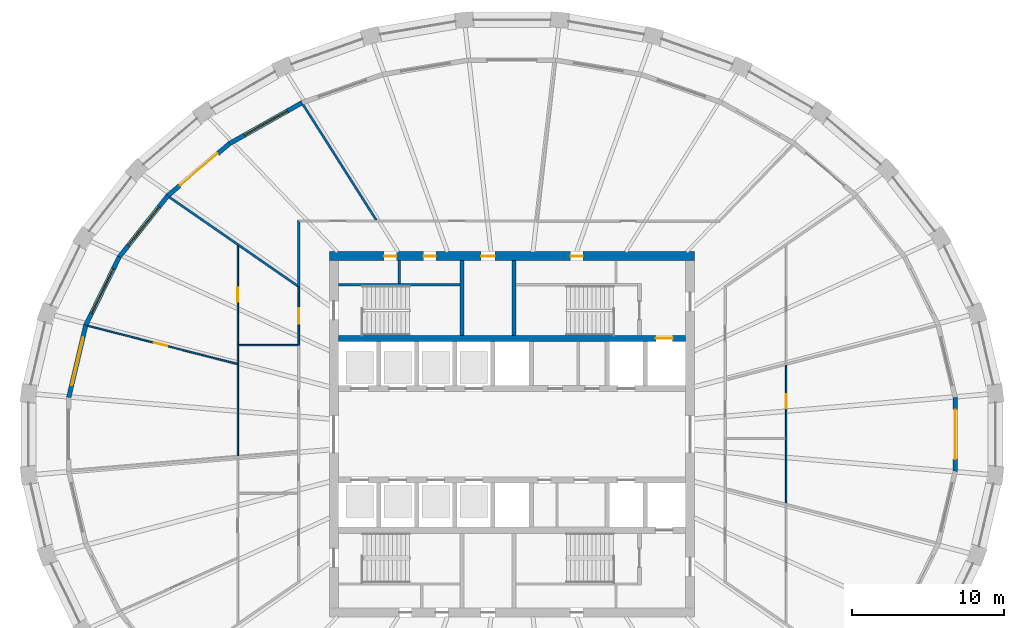
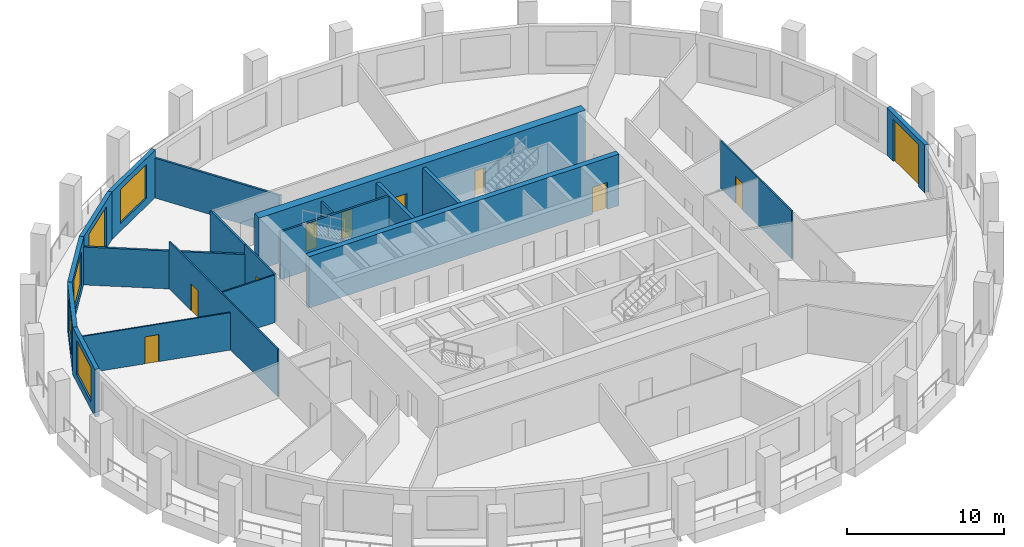
# One storey, part 6 of 11: 20 walls, 11 doors, 4 windows, 15 openings.
"""IFC4 building model written with IfcOpenShell, lengths in metres."""

from ifc_helpers import new_model, si_unit, direction, frame, frame_2d, origin, place, context, subcontext, project, spatial, polyline, rectangle, outline, extrude, material, layer, layer_set, type_object, element, fill, save


model = new_model("IFC4")

# Units and contexts
model_context = context("Model", 3, precision=1e-05, world=origin(), true_north=direction((0.0, 1.0)))
body_context = subcontext(model_context, "Body", "Model", "MODEL_VIEW")
ifc_project = project(units=[si_unit("LENGTHUNIT", "METRE"), si_unit("AREAUNIT", "SQUARE_METRE"), si_unit("VOLUMEUNIT", "CUBIC_METRE"), si_unit("PLANEANGLEUNIT", "RADIAN"), si_unit("MASSUNIT", "GRAM", prefix="KILO")], contexts=[model_context])

# Site, building, storey
site_placement = place(None, origin())
site = spatial("IfcSite", under=ifc_project, at=site_placement, CompositionType="ELEMENT")
building_placement = place(site_placement, origin())
building = spatial("IfcBuilding", under=site, at=building_placement, Name="Halqa Exchange Tower", CompositionType="ELEMENT")
storey_placement = place(building_placement, frame((0.0, 0.0, 218.89990234375)))
storey = spatial("IfcBuildingStorey", under=building, at=storey_placement, Name="L50", CompositionType="ELEMENT", Elevation=218.89990234375)

# Walls
ifc_material_1 = material(Name="Fire-rated gypsum board")
ifc_layer_1 = layer(ifc_material_1, 0.14990234375)
ifc_layer_set_1 = layer_set([ifc_layer_1], Name="Fire-rated gypsum board")
wall_type_1 = type_object("IfcWallType", Name="Fire partition EI 60 150", PredefinedType="PARTITIONING", material=ifc_layer_set_1)
wall_1_placement = place(storey_placement, frame((-22.493896484375, 15.569580078125, 0.0), z_axis=(0.0, 0.0, 1.0), x_axis=(0.822227997751, -0.569158255421, 0.0)))
element("IfcWall", 1, at=wall_1_placement, inside=storey, type_object=wall_type_1, Name="L50-PWL-002", PredefinedType="PARTITIONING", context=body_context, shape_type="SweptSolid", body=[
    extrude(outline(polyline([(0.0, -0.074951171875), (1.858154296875, -0.074951171875), (3.716552734375, -0.074951171875), (5.57470703125, -0.074951171875), (5.5771484375, -0.073486328125), (5.578125, -0.074951171875), (7.1552734375, -0.074951171875), (8.732177734375, -0.074951171875), (10.30908203125, -0.074951171875), (10.30908203125, -0.07470703125), (10.281005859375, -0.0341796875), (10.2685546875, -0.042724609375), (10.240234375, -0.001708984375), (10.240234375, -0.001708984375), (10.187255859375, 0.074951171875), (8.493408203125, 0.074951171875), (6.7998046875, 0.074951171875), (5.10595703125, 0.074951171875), (3.412109375, 0.074951171875), (1.718505859375, 0.074951171875), (0.024658203125, 0.074951171875), (0.00439453125, -0.000244140625), (0.0, -0.06640625), (0.0, -0.074951171875)])), origin(), (0.0, 0.0, 1.0), 2.947021484375),
])
wall_2_placement = place(storey_placement, frame((-14.0, 9.68994140625, 0.0), z_axis=(0.0, 0.0, 1.0), x_axis=(0.0, 1.0, 0.0)))
element("IfcWall", 2, at=wall_2_placement, inside=storey, type_object=wall_type_1, Name="L50-PWL-015", PredefinedType="PARTITIONING", context=body_context, shape_type="SweptSolid", body=[
    extrude(outline(polyline([(0.0, -0.074951171875), (1.41162109375, -0.074951171875), (2.823486328125, -0.074951171875), (4.235107421875, -0.074951171875), (4.385009765625, 0.074951171875), (2.92333984375, 0.074951171875), (1.461669921875, 0.074951171875), (0.0, 0.074951171875), (0.0, -0.074951171875)])), origin(), (0.0, 0.0, 1.0), 3.7001953125),
])
wall_3_placement = place(storey_placement, frame((-8.89208984375, 14.034912109375, 0.0), z_axis=(0.0, 0.0, 1.0), x_axis=(-0.535558051622, 0.84449841524, 0.0)))
element("IfcWall", 3, at=wall_3_placement, inside=storey, type_object=wall_type_1, Name="L50-PWL-018", PredefinedType="PARTITIONING", context=body_context, shape_type="SweptSolid", body=[
    extrude(outline(polyline([(0.0, -0.074951171875), (1.7978515625, -0.074951171875), (3.595458984375, -0.074951171875), (5.393310546875, -0.074951171875), (7.19091796875, -0.074951171875), (8.98876953125, -0.074951171875), (9.006103515625, -0.00048828125), (9.009765625, 0.069091796875), (9.009765625, 0.074951171875), (7.226806640625, 0.074951171875), (5.44384765625, 0.074951171875), (3.660888671875, 0.074951171875), (1.8779296875, 0.074951171875), (0.094970703125, 0.074951171875), (0.0, -0.074951171875), (0.0, -0.074951171875)])), origin(), (0.0, 0.0, 1.0), 3.10009765625),
])

# Wall, opening, door
ifc_material_2 = material(Name="Fire-rated glazing", Category="glass")
ifc_layer_2 = layer(ifc_material_2, 0.1201171875)
ifc_layer_set_2 = layer_set([ifc_layer_2], Name="Fire-rated glazing")
wall_type_2 = type_object("IfcWallType", Name="Glazed fire partition EI 60 120", PredefinedType="PARTITIONING", material=ifc_layer_set_2)
wall_4_placement = place(storey_placement, frame((-14.0, 5.860107421875, 0.0), z_axis=(0.0, 0.0, 1.0), x_axis=(0.0, 1.0, 0.0)))
wall_4 = element("IfcWall", 4, at=wall_4_placement, inside=storey, type_object=wall_type_2, Name="L50-PWL-014", PredefinedType="PARTITIONING", context=body_context, shape_type="SweptSolid", body=[
    extrude(rectangle(XDim=3.829833984375, YDim=0.1201171875, at=frame_2d((1.9150390625, 0.0))), origin(), (0.0, 0.0, 1.0), 3.7001953125),
])
opening_1_placement = place(wall_4_placement, frame((1.4150390625, 0.0, 0.0)))
opening_1 = element("IfcOpeningElement", 5, at=opening_1_placement, cuts=wall_4, Name="Opening 15-04", PredefinedType="OPENING", context=body_context, shape_type="SweptSolid", body=[
    extrude(rectangle(XDim=1.0, YDim=2.10009765625, at=frame_2d((0.5, 1.050048828125))), frame((0.0, 0.072021484375, 0.0), z_axis=(0.0, -1.0, 0.0), x_axis=(1.0, 0.0, 0.0)), (0.0, 0.0, 1.0), 0.14404296875),
])
ifc_material_3 = material(Name="Steel fire door leaf", Category="steel")
door_type_1 = type_object("IfcDoorType", Name="Fire door FD30S 1000 x 2100", OperationType="SINGLE_SWING_LEFT", PredefinedType="DOOR", material=ifc_material_3)
door_1_placement = place(opening_1_placement, origin())
door_1 = element("IfcDoor", 6, at=door_1_placement, inside=storey, type_object=door_type_1, Name="L50-IDR-004", OperationType="SINGLE_SWING_LEFT", OverallHeight=2.10009765625, OverallWidth=1.0, PredefinedType="DOOR", context=body_context, shape_type="SweptSolid", body=[
    extrude(rectangle(XDim=1.0, YDim=2.10009765625, at=frame_2d((0.5, 1.050048828125))), frame((0.0, 0.02490234375, 0.0), z_axis=(0.0, -1.0, 0.0), x_axis=(1.0, 0.0, 0.0)), (0.0, 0.0, 1.0), 0.050048828125),
])
fill(opening_1, door_1)

ifc_material_4 = material(Name="Gypsum board")
ifc_layer_3 = layer(ifc_material_4, 0.10009765625)
ifc_layer_set_3 = layer_set([ifc_layer_3], Name="Gypsum board")
wall_type_3 = type_object("IfcWallType", Name="Partition 100 gypsum", PredefinedType="PARTITIONING", material=ifc_layer_set_3)
wall_5_placement = place(storey_placement, frame((-18.0, -1.41845703125, 0.0), z_axis=(0.0, 0.0, 1.0), x_axis=(0.0, 1.0, 0.0)))
wall_5 = element("IfcWall", 7, at=wall_5_placement, inside=storey, type_object=wall_type_3, Name="L50-PWL-008", PredefinedType="PARTITIONING", context=body_context, shape_type="SweptSolid", body=[
    extrude(outline(polyline([(0.0078125, -0.050048828125), (1.81298828125, -0.050048828125), (3.6181640625, -0.050048828125), (5.42333984375, -0.050048828125), (7.228515625, -0.050048828125), (7.228515625, -0.050048828125), (7.328369140625, -0.050048828125), (7.328369140625, -0.050048828125), (8.934326171875, -0.050048828125), (10.5400390625, -0.050048828125), (12.145751953125, -0.050048828125), (13.75146484375, -0.050048828125), (13.820556640625, 0.0498046875), (13.820556640625, 0.050048828125), (11.888671875, 0.050048828125), (9.956787109375, 0.050048828125), (8.024658203125, 0.050048828125), (6.0927734375, 0.050048828125), (6.09228515625, 0.048095703125), (6.085205078125, 0.050048828125), (4.563720703125, 0.050048828125), (3.04248046875, 0.050048828125), (1.521240234375, 0.050048828125), (0.0, 0.050048828125), (0.0, 0.044677734375), (0.0078125, -0.050048828125)])), origin(), (0.0, 0.0, 1.0), 3.7001953125),
])
opening_2_placement = place(wall_5_placement, frame((10.12841796875, 0.0, 0.0)))
opening_2 = element("IfcOpeningElement", 8, at=opening_2_placement, cuts=wall_5, Name="Opening 15-15", PredefinedType="OPENING", context=body_context, shape_type="SweptSolid", body=[
    extrude(rectangle(XDim=0.89990234375, YDim=2.10009765625, at=frame_2d((0.449951171875, 1.050048828125))), frame((0.0, 0.06201171875, 0.0), z_axis=(0.0, -1.0, 0.0), x_axis=(1.0, 0.0, 0.0)), (0.0, 0.0, 1.0), 0.1240234375),
])
ifc_material_5 = material(Name="Timber door leaf", Category="wood")
door_type_2 = type_object("IfcDoorType", Name="Door 900 x 2100", OperationType="SINGLE_SWING_LEFT", PredefinedType="DOOR", material=ifc_material_5)
door_2_placement = place(opening_2_placement, frame((0.89990234375, 0.0, 0.0), z_axis=(0.0, 0.0, 1.0), x_axis=(-1.0, 0.0, 0.0)))
door_2 = element("IfcDoor", 9, at=door_2_placement, inside=storey, type_object=door_type_2, Name="L50-IDR-015", OperationType="SINGLE_SWING_LEFT", OverallHeight=2.10009765625, OverallWidth=0.89990234375, PredefinedType="DOOR", context=body_context, shape_type="SweptSolid", body=[
    extrude(rectangle(XDim=0.89990234375, YDim=2.10009765625, at=frame_2d((0.449951171875, 1.050048828125))), frame((0.0, 0.02490234375, 0.0), z_axis=(0.0, -1.0, 0.0), x_axis=(1.0, 0.0, 0.0)), (0.0, 0.0, 1.0), 0.050048828125),
])
fill(opening_2, door_2)

wall_6_placement = place(storey_placement, frame((-18.037841796875, 4.61962890625, 0.0), z_axis=(0.0, 0.0, 1.0), x_axis=(-0.96889210833, 0.247483499279, 0.0)))
wall_6 = element("IfcWall", 10, at=wall_6_placement, inside=storey, type_object=wall_type_3, Name="L50-PWL-009", PredefinedType="PARTITIONING", context=body_context, shape_type="SweptSolid", body=[
    extrude(outline(polyline([(0.025390625, -0.050048828125), (1.705810546875, -0.050048828125), (3.38623046875, -0.050048828125), (5.066650390625, -0.050048828125), (6.7470703125, -0.050048828125), (8.427490234375, -0.050048828125), (10.10791015625, -0.050048828125), (10.117431640625, -0.005126953125), (10.117431640625, 0.050048828125), (8.43115234375, 0.050048828125), (6.744873046875, 0.050048828125), (5.05859375, 0.050048828125), (3.37255859375, 0.050048828125), (1.686279296875, 0.050048828125), (0.0, 0.050048828125), (0.0, 0.049072265625), (0.025390625, -0.050048828125)])), origin(), (0.0, 0.0, 1.0), 2.91015625),
])
opening_3_placement = place(wall_6_placement, frame((4.743896484375, 0.0, 0.0)))
opening_3 = element("IfcOpeningElement", 11, at=opening_3_placement, cuts=wall_6, Name="Opening 15-16", PredefinedType="OPENING", context=body_context, shape_type="SweptSolid", body=[
    extrude(rectangle(XDim=0.89990234375, YDim=2.10009765625, at=frame_2d((0.449951171875, 1.050048828125))), frame((0.0, 0.06201171875, 0.0), z_axis=(0.0, -1.0, 0.0), x_axis=(1.0, 0.0, 0.0)), (0.0, 0.0, 1.0), 0.1240234375),
])
door_3_placement = place(opening_3_placement, frame((0.89990234375, 0.0, 0.0), z_axis=(0.0, 0.0, 1.0), x_axis=(-1.0, 0.0, 0.0)))
door_3 = element("IfcDoor", 12, at=door_3_placement, inside=storey, type_object=door_type_2, Name="L50-IDR-016", OperationType="SINGLE_SWING_LEFT", OverallHeight=2.10009765625, OverallWidth=0.89990234375, PredefinedType="DOOR", context=body_context, shape_type="SweptSolid", body=[
    extrude(rectangle(XDim=0.89990234375, YDim=2.10009765625, at=frame_2d((0.449951171875, 1.050048828125))), frame((0.0, 0.02490234375, 0.0), z_axis=(0.0, -1.0, 0.0), x_axis=(1.0, 0.0, 0.0)), (0.0, 0.0, 1.0), 0.050048828125),
])
fill(opening_3, door_3)

# Wall
wall_7_placement = place(storey_placement, frame((-14.060546875, 5.860107421875, 0.0), z_axis=(0.0, 0.0, 1.0), x_axis=(-1.0, 0.0, 0.0)))
element("IfcWall", 13, at=wall_7_placement, inside=storey, type_object=wall_type_3, Name="L50-PWL-013", PredefinedType="PARTITIONING", context=body_context, shape_type="SweptSolid", body=[
    extrude(outline(polyline([(3.889404296875, 0.050048828125), (1.951904296875, 0.050048828125), (0.014404296875, 0.050048828125), (0.014404296875, 0.0), (0.0, 0.0), (0.0, -0.050048828125), (1.94482421875, -0.050048828125), (3.889404296875, -0.050048828125), (3.889404296875, 0.050048828125)])), origin(), (0.0, 0.0, 1.0), 3.7001953125),
])

# Wall, opening, door
wall_8_placement = place(storey_placement, frame((18.0, -4.534912109375, 0.0), z_axis=(0.0, 0.0, 1.0), x_axis=(0.0, 1.0, 0.0)))
wall_8 = element("IfcWall", 14, at=wall_8_placement, inside=storey, type_object=wall_type_3, Name="L50-PWL-036", PredefinedType="PARTITIONING", context=body_context, shape_type="SweptSolid", body=[
    extrude(outline(polyline([(9.079833984375, -0.050048828125), (9.079833984375, -0.04833984375), (9.059814453125, 0.02978515625), (9.079833984375, 0.034912109375), (9.079833984375, 0.036376953125), (9.050048828125, 0.02880859375), (9.044677734375, 0.050048828125), (7.471435546875, 0.050048828125), (5.898193359375, 0.050048828125), (4.324951171875, 0.050048828125), (4.324951171875, 0.050048828125), (4.224853515625, 0.050048828125), (4.224853515625, 0.050048828125), (2.824951171875, 0.050048828125), (1.425048828125, 0.050048828125), (0.025146484375, 0.050048828125), (0.0, -0.04833984375), (0.0, -0.050048828125), (1.81591796875, -0.050048828125), (3.6318359375, -0.050048828125), (5.447998046875, -0.050048828125), (7.263916015625, -0.050048828125), (9.079833984375, -0.050048828125)])), origin(), (0.0, 0.0, 1.0), 3.7001953125),
])
opening_4_placement = place(wall_8_placement, frame((6.2548828125, 0.0, 0.0)))
opening_4 = element("IfcOpeningElement", 15, at=opening_4_placement, cuts=wall_8, Name="Opening 15-21", PredefinedType="OPENING", context=body_context, shape_type="SweptSolid", body=[
    extrude(rectangle(XDim=0.89990234375, YDim=2.10009765625, at=frame_2d((0.449951171875, 1.050048828125))), frame((0.0, 0.06201171875, 0.0), z_axis=(0.0, -1.0, 0.0), x_axis=(1.0, 0.0, 0.0)), (0.0, 0.0, 1.0), 0.1240234375),
])
door_4_placement = place(opening_4_placement, origin())
door_4 = element("IfcDoor", 16, at=door_4_placement, inside=storey, type_object=door_type_2, Name="L50-IDR-021", OperationType="SINGLE_SWING_RIGHT", OverallHeight=2.10009765625, OverallWidth=0.89990234375, PredefinedType="DOOR", context=body_context, shape_type="SweptSolid", body=[
    extrude(rectangle(XDim=0.89990234375, YDim=2.10009765625, at=frame_2d((0.449951171875, 1.050048828125))), frame((0.0, 0.02490234375, 0.0), z_axis=(0.0, -1.0, 0.0), x_axis=(1.0, 0.0, 0.0)), (0.0, 0.0, 1.0), 0.050048828125),
])
fill(opening_4, door_4)

# Wall
ifc_layer_4 = layer(ifc_material_4, 0.14990234375)
ifc_layer_set_4 = layer_set([ifc_layer_4], Name="Gypsum board")
wall_type_4 = type_object("IfcWallType", Name="Penthouse riser wall 150 gypsum", PredefinedType="PARTITIONING", material=ifc_layer_set_4)
wall_9_placement = place(storey_placement, frame((-7.39990234375, 9.89990234375, 0.0), z_axis=(0.0, 0.0, 1.0), x_axis=(0.0, 1.0, 0.0)))
element("IfcWall", 17, at=wall_9_placement, inside=storey, type_object=wall_type_4, Name="Partition W7.400 N", PredefinedType="PARTITIONING", context=body_context, shape_type="SweptSolid", body=[
    extrude(rectangle(XDim=1.5, YDim=0.14990234375, at=frame_2d((0.75, 0.0))), origin(), (0.0, 0.0, 1.0), 3.7001953125),
])

# Wall, opening, door
ifc_material_6 = material(Name="Concrete C70/85", Category="concrete")
ifc_layer_5 = layer(ifc_material_6, 0.39990234375)
ifc_layer_set_5 = layer_set([ifc_layer_5], Name="Concrete C70/85")
wall_type_5 = type_object("IfcWallType", Name="RC core wall 400 C70/85", PredefinedType="SHEAR", material=ifc_layer_set_5)
wall_10_placement = place(storey_placement, frame((-11.39990234375, 6.300048828125, 0.0), z_axis=(0.0, 0.0, 1.0), x_axis=(1.0, 0.0, 0.0)))
wall_10 = element("IfcWall", 18, at=wall_10_placement, inside=storey, type_object=wall_type_5, Name="Lift row back wall N", PredefinedType="SHEAR", context=body_context, shape_type="SweptSolid", body=[
    extrude(rectangle(XDim=22.7998046875, YDim=0.39990234375, at=frame_2d((11.39990234375, 0.0))), origin(), (0.0, 0.0, 1.0), 4.0),
])
opening_5_placement = place(wall_10_placement, frame((20.85009765625, 0.0, 0.0)))
opening_5 = element("IfcOpeningElement", 19, at=opening_5_placement, cuts=wall_10, Name="Opening LD-FF1-T15", PredefinedType="OPENING", context=body_context, shape_type="SweptSolid", body=[
    extrude(rectangle(XDim=1.10009765625, YDim=2.10009765625, at=frame_2d((0.550048828125, 1.050048828125))), frame((0.0, 0.2119140625, 0.0), z_axis=(0.0, -1.0, 0.0), x_axis=(1.0, 0.0, 0.0)), (0.0, 0.0, 1.0), 0.423828125),
])
ifc_material_7 = material(Name="Stainless steel", Category="steel")
door_type_3 = type_object("IfcDoorType", Name="Lift landing door 1100 x 2100", OperationType="SLIDING_TO_LEFT", PredefinedType="DOOR", material=ifc_material_7)
door_5_placement = place(opening_5_placement, origin())
door_5 = element("IfcDoor", 20, at=door_5_placement, inside=storey, type_object=door_type_3, Name="Lift landing door FF1", OperationType="SLIDING_TO_LEFT", OverallHeight=2.10009765625, OverallWidth=1.10009765625, PredefinedType="DOOR", context=body_context, shape_type="SweptSolid", body=[
    extrude(rectangle(XDim=1.10009765625, YDim=2.10009765625, at=frame_2d((0.550048828125, 1.050048828125))), frame((0.0, 0.02490234375, 0.0), z_axis=(0.0, -1.0, 0.0), x_axis=(1.0, 0.0, 0.0)), (0.0, 0.0, 1.0), 0.050048828125),
])
fill(opening_5, door_5)

# Wall, openings, doors
ifc_layer_6 = layer(ifc_material_6, 0.60009765625)
ifc_layer_set_6 = layer_set([ifc_layer_6], Name="Concrete C70/85")
wall_type_6 = type_object("IfcWallType", Name="RC core wall 600 C70/85", PredefinedType="SHEAR", material=ifc_layer_set_6)
wall_11_placement = place(storey_placement, frame((-12.0, 11.699951171875, 0.0), z_axis=(0.0, 0.0, 1.0), x_axis=(1.0, 0.0, 0.0)))
wall_11 = element("IfcWall", 21, at=wall_11_placement, inside=storey, type_object=wall_type_6, Name="Core wall north", PredefinedType="SHEAR", context=body_context, shape_type="SweptSolid", body=[
    extrude(rectangle(XDim=24.0, YDim=0.60009765625, at=frame_2d((12.0, 0.0))), origin(), (0.0, 0.0, 1.0), 4.0),
])
opening_6_placement = place(wall_11_placement, frame((9.97509765625, 0.0, 0.0)))
opening_6 = element("IfcOpeningElement", 22, at=opening_6_placement, cuts=wall_11, Name="Opening T15-C21", PredefinedType="OPENING", context=body_context, shape_type="SweptSolid", body=[
    extrude(rectangle(XDim=0.89990234375, YDim=2.10009765625, at=frame_2d((0.449951171875, 1.050048828125))), frame((0.0, 0.31201171875, 0.0), z_axis=(0.0, -1.0, 0.0), x_axis=(1.0, 0.0, 0.0)), (0.0, 0.0, 1.0), 0.6240234375),
])
opening_7_placement = place(wall_11_placement, frame((3.60009765625, 0.0, 0.0)))
opening_7 = element("IfcOpeningElement", 23, at=opening_7_placement, cuts=wall_11, Name="Opening T15-C22", PredefinedType="OPENING", context=body_context, shape_type="SweptSolid", body=[
    extrude(rectangle(XDim=0.800048828125, YDim=2.10009765625, at=frame_2d((0.39990234375, 1.050048828125))), frame((0.0, 0.31201171875, 0.0), z_axis=(0.0, -1.0, 0.0), x_axis=(1.0, 0.0, 0.0)), (0.0, 0.0, 1.0), 0.6240234375),
])
opening_8_placement = place(wall_11_placement, frame((6.199951171875, 0.0, 0.0)))
opening_8 = element("IfcOpeningElement", 24, at=opening_8_placement, cuts=wall_11, Name="Opening T15-C23", PredefinedType="OPENING", context=body_context, shape_type="SweptSolid", body=[
    extrude(rectangle(XDim=0.800048828125, YDim=2.10009765625, at=frame_2d((0.39990234375, 1.050048828125))), frame((0.0, 0.31201171875, 0.0), z_axis=(0.0, -1.0, 0.0), x_axis=(1.0, 0.0, 0.0)), (0.0, 0.0, 1.0), 0.6240234375),
])
opening_9_placement = place(wall_11_placement, frame((15.85009765625, 0.0, 0.0)))
opening_9 = element("IfcOpeningElement", 25, at=opening_9_placement, cuts=wall_11, Name="Opening T15-C24", PredefinedType="OPENING", context=body_context, shape_type="SweptSolid", body=[
    extrude(rectangle(XDim=0.800048828125, YDim=2.10009765625, at=frame_2d((0.39990234375, 1.050048828125))), frame((0.0, 0.31201171875, 0.0), z_axis=(0.0, -1.0, 0.0), x_axis=(1.0, 0.0, 0.0)), (0.0, 0.0, 1.0), 0.6240234375),
])
ifc_material_8 = material(Name="Timber fire door leaf", Category="wood")
door_type_4 = type_object("IfcDoorType", Name="Core room door FD30 900 x 2100", OperationType="SINGLE_SWING_LEFT", PredefinedType="DOOR", material=ifc_material_8)
door_6_placement = place(opening_6_placement, frame((0.89990234375, 0.0, 0.0), z_axis=(0.0, 0.0, 1.0), x_axis=(-1.0, 0.0, 0.0)))
door_6 = element("IfcDoor", 26, at=door_6_placement, inside=storey, type_object=door_type_4, Name="Core room door", OperationType="SINGLE_SWING_RIGHT", OverallHeight=2.10009765625, OverallWidth=0.89990234375, PredefinedType="DOOR", context=body_context, shape_type="SweptSolid", body=[
    extrude(rectangle(XDim=0.89990234375, YDim=2.10009765625, at=frame_2d((0.449951171875, 1.050048828125))), frame((0.0, 0.02490234375, 0.0), z_axis=(0.0, -1.0, 0.0), x_axis=(1.0, 0.0, 0.0)), (0.0, 0.0, 1.0), 0.050048828125),
])
fill(opening_6, door_6)
door_type_5 = type_object("IfcDoorType", Name="Riser door FD60 800 x 2100", OperationType="SINGLE_SWING_LEFT", PredefinedType="DOOR", material=ifc_material_3)
door_7_placement = place(opening_7_placement, frame((0.800048828125, 0.0, 0.0), z_axis=(0.0, 0.0, 1.0), x_axis=(-1.0, 0.0, 0.0)))
door_7 = element("IfcDoor", 27, at=door_7_placement, inside=storey, type_object=door_type_5, Name="Core room door", OperationType="SINGLE_SWING_RIGHT", OverallHeight=2.10009765625, OverallWidth=0.800048828125, PredefinedType="DOOR", context=body_context, shape_type="SweptSolid", body=[
    extrude(rectangle(XDim=0.800048828125, YDim=2.10009765625, at=frame_2d((0.39990234375, 1.050048828125))), frame((0.0, 0.02490234375, 0.0), z_axis=(0.0, -1.0, 0.0), x_axis=(1.0, 0.0, 0.0)), (0.0, 0.0, 1.0), 0.050048828125),
])
fill(opening_7, door_7)
door_8_placement = place(opening_8_placement, frame((0.800048828125, 0.0, 0.0), z_axis=(0.0, 0.0, 1.0), x_axis=(-1.0, 0.0, 0.0)))
door_8 = element("IfcDoor", 28, at=door_8_placement, inside=storey, type_object=door_type_5, Name="Core room door", OperationType="SINGLE_SWING_RIGHT", OverallHeight=2.10009765625, OverallWidth=0.800048828125, PredefinedType="DOOR", context=body_context, shape_type="SweptSolid", body=[
    extrude(rectangle(XDim=0.800048828125, YDim=2.10009765625, at=frame_2d((0.39990234375, 1.050048828125))), frame((0.0, 0.02490234375, 0.0), z_axis=(0.0, -1.0, 0.0), x_axis=(1.0, 0.0, 0.0)), (0.0, 0.0, 1.0), 0.050048828125),
])
fill(opening_8, door_8)
door_9_placement = place(opening_9_placement, frame((0.800048828125, 0.0, 0.0), z_axis=(0.0, 0.0, 1.0), x_axis=(-1.0, 0.0, 0.0)))
door_9 = element("IfcDoor", 29, at=door_9_placement, inside=storey, type_object=door_type_5, Name="Core room door", OperationType="SINGLE_SWING_RIGHT", OverallHeight=2.10009765625, OverallWidth=0.800048828125, PredefinedType="DOOR", context=body_context, shape_type="SweptSolid", body=[
    extrude(rectangle(XDim=0.800048828125, YDim=2.10009765625, at=frame_2d((0.39990234375, 1.050048828125))), frame((0.0, 0.02490234375, 0.0), z_axis=(0.0, -1.0, 0.0), x_axis=(1.0, 0.0, 0.0)), (0.0, 0.0, 1.0), 0.050048828125),
])
fill(opening_9, door_9)

# Walls
ifc_material_9 = material(Name="Concrete C30/37", Category="concrete")
ifc_layer_7 = layer(ifc_material_9, 0.14990234375)
ifc_layer_set_7 = layer_set([ifc_layer_7], Name="Concrete C30/37")
wall_type_7 = type_object("IfcWallType", Name="RC stair wall 150 C30/37", PredefinedType="SHEAR", material=ifc_layer_set_7)
wall_12_placement = place(storey_placement, frame((-11.39990234375, 9.824951171875, 0.0), z_axis=(0.0, 0.0, 1.0), x_axis=(1.0, 0.0, 0.0)))
element("IfcWall", 30, at=wall_12_placement, inside=storey, type_object=wall_type_7, Name="Stair ST1 north wall N", PredefinedType="SHEAR", context=body_context, shape_type="SweptSolid", body=[
    extrude(rectangle(XDim=8.0, YDim=0.14990234375, at=frame_2d((4.0, 0.0))), origin(), (0.0, 0.0, 1.0), 3.7001953125),
])
ifc_layer_8 = layer(ifc_material_9, 0.25)
ifc_layer_set_8 = layer_set([ifc_layer_8], Name="Concrete C30/37")
wall_type_8 = type_object("IfcWallType", Name="RC stair wall 250 C30/37", PredefinedType="SHEAR", material=ifc_layer_set_8)
for number, where, z_axis, x_axis, name in (
    (31, (-3.27490234375, 6.5, 0.0), (0.0, 0.0, 1.0), (0.0, 1.0, 0.0), "Stair ST1 east wall N"),
    (32, (0.125, 6.5, 0.0), (0.0, 0.0, 1.0), (0.0, 1.0, 0.0), "Stair ST2 west wall N"),
):
    element("IfcWall", number, at=place(storey_placement, frame(where, z_axis=z_axis, x_axis=x_axis)), inside=storey, type_object=wall_type_8, Name=name, PredefinedType="SHEAR", context=body_context, shape_type="SweptSolid", body=[
        extrude(rectangle(XDim=4.89990234375, YDim=0.25, at=frame_2d((2.449951171875, 0.0))), origin(), (0.0, 0.0, 1.0), 3.7001953125),
    ])

# Wall, opening, window
ifc_material_10 = material(Name="Limestone cladding", Category="masonry")
ifc_layer_9 = layer(ifc_material_10, 0.0400390625)
ifc_material_11 = material(Name="Ventilated cavity")
ifc_layer_10 = layer(ifc_material_11, 0.030029296875, ventilated=True)
ifc_material_12 = material(Name="Mineral wool insulation")
ifc_layer_11 = layer(ifc_material_12, 0.10009765625)
ifc_layer_12 = layer(ifc_material_9, 0.10009765625)
ifc_material_13 = material(Name="Internal plaster")
ifc_layer_13 = layer(ifc_material_13, 0.030029296875)
ifc_layer_set_9 = layer_set([ifc_layer_9, ifc_layer_10, ifc_layer_11, ifc_layer_12, ifc_layer_13], Name="Stone-faced insulated wall 300")
wall_type_9 = type_object("IfcWallType", Name="Stone-faced insulated wall 300", PredefinedType="STANDARD", material=ifc_layer_set_9)
wall_13_placement = place(storey_placement, frame((-13.777099609375, 21.778076171875, 0.0), z_axis=(0.0, 0.0, 1.0), x_axis=(-0.871207038577, -0.490915772749, 0.0)))
wall_13 = element("IfcWall", 33, at=wall_13_placement, inside=storey, type_object=wall_type_9, Name="Glass-line wall 11", PredefinedType="STANDARD", context=body_context, shape_type="SweptSolid", body=[
    extrude(outline(polyline([(-0.013427734375, -0.14990234375), (5.485107421875, -0.14990234375), (5.456787109375, 0.14990234375), (0.013427734375, 0.14990234375), (-0.013427734375, -0.14990234375)])), origin(), (0.0, 0.0, 1.0), 3.7001953125),
])
opening_10_placement = place(wall_13_placement, frame((1.110595703125, 0.0, 0.60009765625)))
opening_10 = element("IfcOpeningElement", 34, at=opening_10_placement, cuts=wall_13, Name="Opening W-F3-11", PredefinedType="OPENING", context=body_context, shape_type="SweptSolid", body=[
    extrude(rectangle(XDim=3.25, YDim=2.64990234375, at=frame_2d((1.625, 1.324951171875))), frame((0.0, 0.162109375, 0.0), z_axis=(0.0, -1.0, 0.0), x_axis=(1.0, 0.0, 0.0)), (0.0, 0.0, 1.0), 0.323974609375),
])
ifc_material_14 = material(Name="Clear low-emissivity glass in aluminium frame", Category="aluminium")
window_type = type_object("IfcWindowType", Name="Fixed clear glazed window 3250 x 2650", PartitioningType="TRIPLE_PANEL_VERTICAL", PredefinedType="WINDOW", material=ifc_material_14)
window_1_placement = place(opening_10_placement, origin())
window_1 = element("IfcWindow", 35, at=window_1_placement, inside=storey, type_object=window_type, Name="Window 3", OverallHeight=2.64990234375, OverallWidth=3.25, PartitioningType="TRIPLE_PANEL_VERTICAL", PredefinedType="WINDOW", context=body_context, shape_type="SweptSolid", body=[
    extrude(rectangle(XDim=3.25, YDim=2.64990234375, at=frame_2d((1.625, 1.324951171875))), frame((0.0, 0.030029296875, 0.0), z_axis=(0.0, -1.0, 0.0), x_axis=(1.0, 0.0, 0.0)), (0.0, 0.0, 1.0), 0.06005859375),
])
fill(opening_10, window_1)

# Wall, opening, door
wall_14_placement = place(storey_placement, frame((-18.54345703125, 19.09228515625, 0.0), z_axis=(0.0, 0.0, 1.0), x_axis=(-0.764397795062, -0.644744919255, 0.0)))
wall_14 = element("IfcWall", 36, at=wall_14_placement, inside=storey, type_object=wall_type_9, Name="Glass-line wall 12", PredefinedType="STANDARD", context=body_context, shape_type="SweptSolid", body=[
    extrude(outline(polyline([(-0.01416015625, -0.14990234375), (5.3203125, -0.14990234375), (5.2900390625, 0.14990234375), (0.01416015625, 0.14990234375), (-0.01416015625, -0.14990234375)])), origin(), (0.0, 0.0, 1.0), 3.7001953125),
])
opening_11_placement = place(wall_14_placement, frame((1.027587890625, 0.0, 0.0)))
opening_11 = element("IfcOpeningElement", 37, at=opening_11_placement, cuts=wall_14, Name="Opening LG-F3-03", PredefinedType="OPENING", context=body_context, shape_type="SweptSolid", body=[
    extrude(rectangle(XDim=3.25, YDim=3.25, at=frame_2d((1.625, 1.625))), frame((0.0, 0.162109375, 0.0), z_axis=(0.0, -1.0, 0.0), x_axis=(1.0, 0.0, 0.0)), (0.0, 0.0, 1.0), 0.323974609375),
])
door_type_6 = type_object("IfcDoorType", Name="Glazed sliding loggia door 3250 x 3250", OperationType="DOUBLE_DOOR_SLIDING", PredefinedType="DOOR", material=ifc_material_14)
door_10_placement = place(opening_11_placement, origin())
door_10 = element("IfcDoor", 38, at=door_10_placement, inside=storey, type_object=door_type_6, Name="Loggia door 3", OperationType="DOUBLE_DOOR_SLIDING", OverallHeight=3.25, OverallWidth=3.25, PredefinedType="DOOR", context=body_context, shape_type="SweptSolid", body=[
    extrude(rectangle(XDim=3.25, YDim=3.25, at=frame_2d((1.625, 1.625))), frame((0.0, 0.02490234375, 0.0), z_axis=(0.0, -1.0, 0.0), x_axis=(1.0, 0.0, 0.0)), (0.0, 0.0, 1.0), 0.050048828125),
])
fill(opening_11, door_10)

# Wall, opening, window
wall_15_placement = place(storey_placement, frame((-22.5986328125, 15.671875, 0.0), z_axis=(0.0, 0.0, 1.0), x_axis=(-0.621017151557, -0.783796974651, 0.0)))
wall_15 = element("IfcWall", 39, at=wall_15_placement, inside=storey, type_object=wall_type_9, Name="Glass-line wall 13", PredefinedType="STANDARD", context=body_context, shape_type="SweptSolid", body=[
    extrude(outline(polyline([(-0.01513671875, -0.14990234375), (5.14990234375, -0.14990234375), (5.11767578125, 0.14990234375), (0.01513671875, 0.14990234375), (-0.01513671875, -0.14990234375)])), origin(), (0.0, 0.0, 1.0), 3.7001953125),
])
opening_12_placement = place(wall_15_placement, frame((0.94189453125, 0.0, 0.60009765625)))
opening_12 = element("IfcOpeningElement", 40, at=opening_12_placement, cuts=wall_15, Name="Opening W-F3-13", PredefinedType="OPENING", context=body_context, shape_type="SweptSolid", body=[
    extrude(rectangle(XDim=3.25, YDim=2.64990234375, at=frame_2d((1.625, 1.324951171875))), frame((0.0, 0.162109375, 0.0), z_axis=(0.0, -1.0, 0.0), x_axis=(1.0, 0.0, 0.0)), (0.0, 0.0, 1.0), 0.323974609375),
])
window_2_placement = place(opening_12_placement, origin())
window_2 = element("IfcWindow", 41, at=window_2_placement, inside=storey, type_object=window_type, Name="Window 3", OverallHeight=2.64990234375, OverallWidth=3.25, PartitioningType="TRIPLE_PANEL_VERTICAL", PredefinedType="WINDOW", context=body_context, shape_type="SweptSolid", body=[
    extrude(rectangle(XDim=3.25, YDim=2.64990234375, at=frame_2d((1.625, 1.324951171875))), frame((0.0, 0.030029296875, 0.0), z_axis=(0.0, -1.0, 0.0), x_axis=(1.0, 0.0, 0.0)), (0.0, 0.0, 1.0), 0.06005859375),
])
fill(opening_12, window_2)

wall_16_placement = place(storey_placement, frame((-25.786865234375, 11.64794921875, 0.0), z_axis=(0.0, 0.0, 1.0), x_axis=(-0.440795186599, -0.897607711348, 0.0)))
wall_16 = element("IfcWall", 42, at=wall_16_placement, inside=storey, type_object=wall_type_9, Name="Glass-line wall 14", PredefinedType="STANDARD", context=body_context, shape_type="SweptSolid", body=[
    extrude(outline(polyline([(-0.01611328125, -0.14990234375), (5.0009765625, -0.14990234375), (4.96728515625, 0.14990234375), (0.01611328125, 0.14990234375), (-0.01611328125, -0.14990234375)])), origin(), (0.0, 0.0, 1.0), 3.7001953125),
])
opening_13_placement = place(wall_16_placement, frame((0.8671875, 0.0, 0.60009765625)))
opening_13 = element("IfcOpeningElement", 43, at=opening_13_placement, cuts=wall_16, Name="Opening W-F3-14", PredefinedType="OPENING", context=body_context, shape_type="SweptSolid", body=[
    extrude(rectangle(XDim=3.25, YDim=2.64990234375, at=frame_2d((1.625, 1.324951171875))), frame((0.0, 0.162109375, 0.0), z_axis=(0.0, -1.0, 0.0), x_axis=(1.0, 0.0, 0.0)), (0.0, 0.0, 1.0), 0.323974609375),
])
window_3_placement = place(opening_13_placement, origin())
window_3 = element("IfcWindow", 44, at=window_3_placement, inside=storey, type_object=window_type, Name="Window 3", OverallHeight=2.64990234375, OverallWidth=3.25, PartitioningType="TRIPLE_PANEL_VERTICAL", PredefinedType="WINDOW", context=body_context, shape_type="SweptSolid", body=[
    extrude(rectangle(XDim=3.25, YDim=2.64990234375, at=frame_2d((1.625, 1.324951171875))), frame((0.0, 0.030029296875, 0.0), z_axis=(0.0, -1.0, 0.0), x_axis=(1.0, 0.0, 0.0)), (0.0, 0.0, 1.0), 0.06005859375),
])
fill(opening_13, window_3)

wall_17_placement = place(storey_placement, frame((-27.98388671875, 7.174072265625, 0.0), z_axis=(0.0, 0.0, 1.0), x_axis=(-0.229546618766, -0.97329766763, 0.0)))
wall_17 = element("IfcWall", 45, at=wall_17_placement, inside=storey, type_object=wall_type_9, Name="Glass-line wall 15", PredefinedType="STANDARD", context=body_context, shape_type="SweptSolid", body=[
    extrude(outline(polyline([(-0.016845703125, -0.14990234375), (4.899169921875, -0.14990234375), (4.864501953125, 0.14990234375), (0.016845703125, 0.14990234375), (-0.016845703125, -0.14990234375)])), origin(), (0.0, 0.0, 1.0), 3.7001953125),
])
opening_14_placement = place(wall_17_placement, frame((0.81591796875, 0.0, 0.60009765625)))
opening_14 = element("IfcOpeningElement", 46, at=opening_14_placement, cuts=wall_17, Name="Opening W-F3-15", PredefinedType="OPENING", context=body_context, shape_type="SweptSolid", body=[
    extrude(rectangle(XDim=3.25, YDim=2.64990234375, at=frame_2d((1.625, 1.324951171875))), frame((0.0, 0.162109375, 0.0), z_axis=(0.0, -1.0, 0.0), x_axis=(1.0, 0.0, 0.0)), (0.0, 0.0, 1.0), 0.323974609375),
])
window_4_placement = place(opening_14_placement, origin())
window_4 = element("IfcWindow", 47, at=window_4_placement, inside=storey, type_object=window_type, Name="Window 3", OverallHeight=2.64990234375, OverallWidth=3.25, PartitioningType="TRIPLE_PANEL_VERTICAL", PredefinedType="WINDOW", context=body_context, shape_type="SweptSolid", body=[
    extrude(rectangle(XDim=3.25, YDim=2.64990234375, at=frame_2d((1.625, 1.324951171875))), frame((0.0, 0.030029296875, 0.0), z_axis=(0.0, -1.0, 0.0), x_axis=(1.0, 0.0, 0.0)), (0.0, 0.0, 1.0), 0.06005859375),
])
fill(opening_14, window_4)

# Wall, opening, door
wall_18_placement = place(storey_placement, frame((29.1044921875, -2.422607421875, 0.0), z_axis=(0.0, 0.0, 1.0), x_axis=(0.0, 1.0, 0.0)))
wall_18 = element("IfcWall", 48, at=wall_18_placement, inside=storey, type_object=wall_type_9, Name="Glass-line wall 32", PredefinedType="STANDARD", context=body_context, shape_type="SweptSolid", body=[
    extrude(outline(polyline([(-0.017333984375, -0.14990234375), (4.862548828125, -0.14990234375), (4.827880859375, 0.14990234375), (0.017333984375, 0.14990234375), (-0.017333984375, -0.14990234375)])), origin(), (0.0, 0.0, 1.0), 3.7001953125),
])
opening_15_placement = place(wall_18_placement, frame((0.797607421875, 0.0, 0.0)))
opening_15 = element("IfcOpeningElement", 49, at=opening_15_placement, cuts=wall_18, Name="Opening LG-F3-08", PredefinedType="OPENING", context=body_context, shape_type="SweptSolid", body=[
    extrude(rectangle(XDim=3.25, YDim=3.25, at=frame_2d((1.625, 1.625))), frame((0.0, 0.162109375, 0.0), z_axis=(0.0, -1.0, 0.0), x_axis=(1.0, 0.0, 0.0)), (0.0, 0.0, 1.0), 0.323974609375),
])
door_11_placement = place(opening_15_placement, origin())
door_11 = element("IfcDoor", 50, at=door_11_placement, inside=storey, type_object=door_type_6, Name="Loggia door 8", OperationType="DOUBLE_DOOR_SLIDING", OverallHeight=3.25, OverallWidth=3.25, PredefinedType="DOOR", context=body_context, shape_type="SweptSolid", body=[
    extrude(rectangle(XDim=3.25, YDim=3.25, at=frame_2d((1.625, 1.625))), frame((0.0, 0.02490234375, 0.0), z_axis=(0.0, -1.0, 0.0), x_axis=(1.0, 0.0, 0.0)), (0.0, 0.0, 1.0), 0.050048828125),
])
fill(opening_15, door_11)

save(model, "model.ifc")
